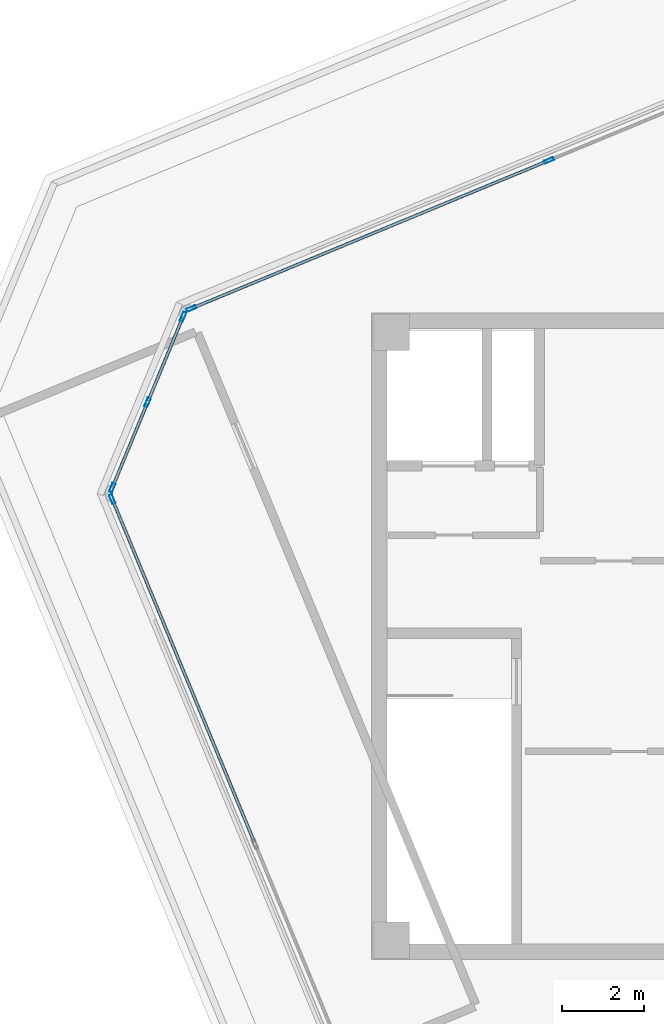
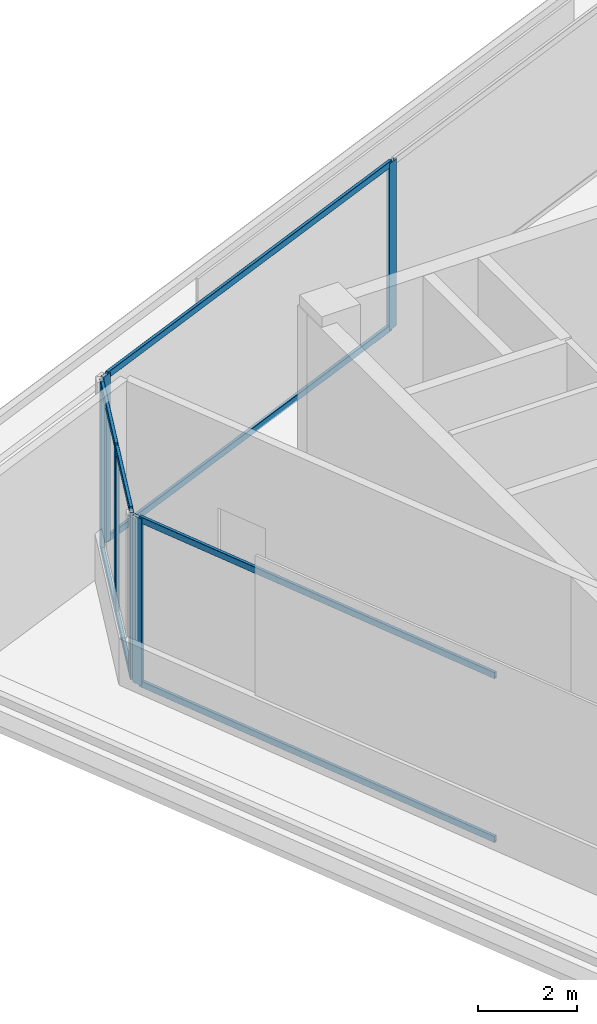
# One storey, part 4 of 11: 14 members, 3 elements without a shape of their own.
"""IFC4 building model written with IfcOpenShell, lengths in metres."""

from ifc_helpers import new_model, si_unit, direction, frame, origin, origin_2d, place, context, subcontext, project, spatial, hollow_rectangle, extrude, source, transform, mapped, material, material_profile, profile_set, type_object, element, aggregate, save


model = new_model("IFC4")

# Units and contexts
model_context = context("Model", 3, precision=1e-05, world=origin(), true_north=direction((0.0, 1.0)))
body_context = subcontext(model_context, "Body", "Model", "MODEL_VIEW")
ifc_project = project(units=[si_unit("LENGTHUNIT", "METRE"), si_unit("AREAUNIT", "SQUARE_METRE"), si_unit("VOLUMEUNIT", "CUBIC_METRE"), si_unit("PLANEANGLEUNIT", "RADIAN"), si_unit("MASSUNIT", "GRAM", prefix="KILO")], contexts=[model_context])

# Site, building, storey
site_placement = place(None, origin())
site = spatial("IfcSite", under=ifc_project, at=site_placement, CompositionType="ELEMENT")
building_placement = place(site_placement, origin())
building = spatial("IfcBuilding", under=site, at=building_placement, Name="Torre Montelarca", CompositionType="ELEMENT")
storey_placement = place(building_placement, frame((0.0, 0.0, 366.0)))
storey = spatial("IfcBuildingStorey", under=building, at=storey_placement, Name="L82", CompositionType="ELEMENT", Elevation=366.0)

# Curtain wall, member
ifc_material_1 = material(Name="Amber translucent laminated glass", Category="glass")
curtain_wall_type = type_object("IfcCurtainWallType", Name="CW-SYS-LANT", PredefinedType="USERDEFINED", material=ifc_material_1)
curtain_wall_1_placement = place(storey_placement, origin())
curtain_wall_1 = element("IfcCurtainWall", 1, at=curtain_wall_1_placement, inside=storey, type_object=curtain_wall_type, Name="L82 Curtain Wall Run CW-T3-L82-E01-B1", ObjectType="TRANSLUCENT LANTERN", PredefinedType="USERDEFINED")
ifc_material_2 = material(Name="Anodised aluminium AA 6063-T6", Category="aluminium")
ifc_material_profile_1 = material_profile(ifc_material_2, hollow_rectangle(XDim=0.080078125, YDim=0.239990234375, WallThickness=0.0048828125, InnerFilletRadius=0.0048828125, OuterFilletRadius=0.010009765625, at=origin_2d()), Name="ALU80X240X5", Category="aluminium")
ifc_profile_set_1 = profile_set([ifc_material_profile_1], Name="Anodised aluminium AA 6063-T6")
member_type_1 = type_object("IfcMemberType", Name="CWM-ALU240", PredefinedType="MULLION", material=ifc_profile_set_1)
shared_shape_1 = source(origin(), body_context, "Body", "SweptSolid", [
    extrude(hollow_rectangle(XDim=0.080078125, YDim=0.239990234375, WallThickness=0.0048828125, InnerFilletRadius=0.0048828125, OuterFilletRadius=0.010009765625, at=origin_2d()), origin(), (0.0, 0.0, 1.0), 4.1201171875),
])
member_1_placement = place(storey_placement, frame((2.7138671875, 35.36083984375, 0.0), z_axis=(0.0, 0.0, 1.0), x_axis=(0.923880409733, 0.382681314557, 0.0)))
member_1 = element("IfcMember", 2, at=member_1_placement, type_object=member_type_1, Name="CW mullion 1", PredefinedType="MULLION", context=body_context, shape_type="MappedRepresentation", body=[
    mapped(shared_shape_1, transform((0.0, 0.0, 0.0), scale=1.0)),
])

# Curtain wall, members
curtain_wall_2_placement = place(storey_placement, origin())
curtain_wall_2 = element("IfcCurtainWall", 3, at=curtain_wall_2_placement, inside=storey, type_object=curtain_wall_type, Name="L82 Curtain Wall Run CW-T3-L82-E07-B1", ObjectType="TRANSLUCENT LANTERN", PredefinedType="USERDEFINED")
member_2_placement = place(storey_placement, frame((13.420654296875, 43.666259765625, 0.0), z_axis=(0.0, 0.0, 1.0), x_axis=(0.382684503805, -0.923879088705, 0.0)))
member_2 = element("IfcMember", 4, at=member_2_placement, type_object=member_type_1, Name="CW mullion 2", PredefinedType="MULLION", context=body_context, shape_type="MappedRepresentation", body=[
    mapped(shared_shape_1, transform((0.0, 0.0, 0.0), scale=1.0)),
])
member_3_placement = place(storey_placement, frame((4.649169921875, 40.032958984375, 0.0), z_axis=(0.0, 0.0, 1.0), x_axis=(0.382684503805, -0.923879088705, 0.0)))
member_3 = element("IfcMember", 5, at=member_3_placement, type_object=member_type_1, Name="CW mullion 3", PredefinedType="MULLION", context=body_context, shape_type="MappedRepresentation", body=[
    mapped(shared_shape_1, transform((0.0, 0.0, 0.0), scale=1.0)),
])

curtain_wall_3_placement = place(storey_placement, origin())
curtain_wall_3 = element("IfcCurtainWall", 6, at=curtain_wall_3_placement, inside=storey, type_object=curtain_wall_type, Name="L82 Curtain Wall Run CW-T3-L82-E08-B1", ObjectType="TRANSLUCENT LANTERN", PredefinedType="USERDEFINED")
member_4_placement = place(storey_placement, frame((4.450439453125, 39.834228515625, 0.0), z_axis=(0.0, 0.0, 1.0), x_axis=(0.923879589357, -0.382683295127, 0.0)))
member_4 = element("IfcMember", 7, at=member_4_placement, type_object=member_type_1, Name="CW mullion 1", PredefinedType="MULLION", context=body_context, shape_type="MappedRepresentation", body=[
    mapped(shared_shape_1, transform((0.0, 0.0, 0.0), scale=1.0)),
])
member_5_placement = place(storey_placement, frame((3.582275390625, 37.738037109375, 0.0), z_axis=(0.0, 0.0, 1.0), x_axis=(0.923879589357, -0.382683295127, 0.0)))
member_5 = element("IfcMember", 8, at=member_5_placement, type_object=member_type_1, Name="CW mullion 2", PredefinedType="MULLION", context=body_context, shape_type="MappedRepresentation", body=[
    mapped(shared_shape_1, transform((0.0, 0.0, 0.0), scale=1.0)),
])
member_6_placement = place(storey_placement, frame((2.7138671875, 35.641845703125, 0.0), z_axis=(0.0, 0.0, 1.0), x_axis=(0.923879589357, -0.382683295127, 0.0)))
member_6 = element("IfcMember", 9, at=member_6_placement, type_object=member_type_1, Name="CW mullion 3", PredefinedType="MULLION", context=body_context, shape_type="MappedRepresentation", body=[
    mapped(shared_shape_1, transform((0.0, 0.0, 0.0), scale=1.0)),
])

# Member
ifc_material_profile_2 = material_profile(ifc_material_2, hollow_rectangle(XDim=0.074951171875, YDim=0.159912109375, WallThickness=0.0048828125, InnerFilletRadius=0.0048828125, OuterFilletRadius=0.010009765625, at=origin_2d()), Name="ALU75X160X5", Category="aluminium")
ifc_profile_set_2 = profile_set([ifc_material_profile_2], Name="Anodised aluminium AA 6063-T6")
member_type_2 = type_object("IfcMemberType", Name="CWT-ALU160", PredefinedType="USERDEFINED", material=ifc_profile_set_2)
shared_shape_2 = source(origin(), body_context, "Body", "SweptSolid", [
    extrude(hollow_rectangle(XDim=0.074951171875, YDim=0.159912109375, WallThickness=0.0048828125, InnerFilletRadius=0.0048828125, OuterFilletRadius=0.010009765625, at=origin_2d()), origin(), (0.0, 0.0, 1.0), 9.064208984375),
])
member_7_placement = place(storey_placement, frame((2.729248046875, 35.323974609375, 0.03759765625), z_axis=(0.382684825491, -0.923878955459, 0.0), x_axis=(0.923878955459, 0.382684825491, 0.0)))
member_7 = element("IfcMember", 10, at=member_7_placement, type_object=member_type_2, Name="CW transom 1.1", ObjectType="TRANSOM", PredefinedType="USERDEFINED", context=body_context, shape_type="MappedRepresentation", body=[
    mapped(shared_shape_2, transform((0.0, 0.0, 0.0), scale=1.0)),
])

member_8_placement = place(storey_placement, frame((2.729248046875, 35.323974609375, 4.08251953125), z_axis=(0.382684825491, -0.923878955459, 0.0), x_axis=(0.923878955459, 0.382684825491, 0.0)))
member_8 = element("IfcMember", 11, at=member_8_placement, type_object=member_type_2, Name="CW transom 1.2", ObjectType="TRANSOM", PredefinedType="USERDEFINED", context=body_context, shape_type="MappedRepresentation", body=[
    mapped(shared_shape_2, transform((0.0, 0.0, 0.0), scale=1.0)),
])

aggregate(curtain_wall_1, [member_1, member_7, member_8])

shared_shape_3 = source(origin(), body_context, "Body", "SweptSolid", [
    extrude(hollow_rectangle(XDim=0.074951171875, YDim=0.159912109375, WallThickness=0.0048828125, InnerFilletRadius=0.0048828125, OuterFilletRadius=0.010009765625, at=origin_2d()), origin(), (0.0, 0.0, 1.0), 2.188720703125),
])
member_9_placement = place(storey_placement, frame((3.56689453125, 37.700927734375, 0.03759765625), z_axis=(-0.382690007445, -0.923876808997, 0.0), x_axis=(0.923876808997, -0.382690007445, 0.0)))
member_9 = element("IfcMember", 12, at=member_9_placement, type_object=member_type_2, Name="CW transom 2.1", ObjectType="TRANSOM", PredefinedType="USERDEFINED", context=body_context, shape_type="MappedRepresentation", body=[
    mapped(shared_shape_3, transform((0.0, 0.0, 0.0), scale=1.0)),
])

member_10_placement = place(storey_placement, frame((3.56689453125, 37.700927734375, 4.08251953125), z_axis=(-0.382690007445, -0.923876808997, 0.0), x_axis=(0.923876808997, -0.382690007445, 0.0)))
member_10 = element("IfcMember", 13, at=member_10_placement, type_object=member_type_2, Name="CW transom 2.2", ObjectType="TRANSOM", PredefinedType="USERDEFINED", context=body_context, shape_type="MappedRepresentation", body=[
    mapped(shared_shape_3, transform((0.0, 0.0, 0.0), scale=1.0)),
])

shared_shape_4 = source(origin(), body_context, "Body", "SweptSolid", [
    extrude(hollow_rectangle(XDim=0.074951171875, YDim=0.159912109375, WallThickness=0.0048828125, InnerFilletRadius=0.0048828125, OuterFilletRadius=0.010009765625, at=origin_2d()), origin(), (0.0, 0.0, 1.0), 9.4140625),
])
member_11_placement = place(storey_placement, frame((13.383544921875, 43.65087890625, 0.03759765625), z_axis=(-0.923873647492, -0.382697639749, 0.0), x_axis=(0.382697639749, -0.923873647492, 0.0)))
member_11 = element("IfcMember", 14, at=member_11_placement, type_object=member_type_2, Name="CW transom 2.1", ObjectType="TRANSOM", PredefinedType="USERDEFINED", context=body_context, shape_type="MappedRepresentation", body=[
    mapped(shared_shape_4, transform((0.0, 0.0, 0.0), scale=1.0)),
])

member_12_placement = place(storey_placement, frame((13.383544921875, 43.65087890625, 4.08251953125), z_axis=(-0.923873647492, -0.382697639749, 0.0), x_axis=(0.382697639749, -0.923873647492, 0.0)))
member_12 = element("IfcMember", 15, at=member_12_placement, type_object=member_type_2, Name="CW transom 2.2", ObjectType="TRANSOM", PredefinedType="USERDEFINED", context=body_context, shape_type="MappedRepresentation", body=[
    mapped(shared_shape_4, transform((0.0, 0.0, 0.0), scale=1.0)),
])

aggregate(curtain_wall_2, [member_2, member_3, member_11, member_12])

shared_shape_5 = source(origin(), body_context, "Body", "SweptSolid", [
    extrude(hollow_rectangle(XDim=0.074951171875, YDim=0.159912109375, WallThickness=0.0048828125, InnerFilletRadius=0.0048828125, OuterFilletRadius=0.010009765625, at=origin_2d()), origin(), (0.0, 0.0, 1.0), 2.189208984375),
])
member_13_placement = place(storey_placement, frame((4.435302734375, 39.79736328125, 0.03759765625), z_axis=(-0.382745766955, -0.923853710215, 0.0), x_axis=(0.923853710215, -0.382745766955, 0.0)))
member_13 = element("IfcMember", 16, at=member_13_placement, type_object=member_type_2, Name="CW transom 1.1", ObjectType="TRANSOM", PredefinedType="USERDEFINED", context=body_context, shape_type="MappedRepresentation", body=[
    mapped(shared_shape_5, transform((0.0, 0.0, 0.0), scale=1.0)),
])

member_14_placement = place(storey_placement, frame((4.435302734375, 39.79736328125, 4.08251953125), z_axis=(-0.382745766955, -0.923853710215, 0.0), x_axis=(0.923853710215, -0.382745766955, 0.0)))
member_14 = element("IfcMember", 17, at=member_14_placement, type_object=member_type_2, Name="CW transom 1.2", ObjectType="TRANSOM", PredefinedType="USERDEFINED", context=body_context, shape_type="MappedRepresentation", body=[
    mapped(shared_shape_5, transform((0.0, 0.0, 0.0), scale=1.0)),
])

aggregate(curtain_wall_3, [member_4, member_5, member_6, member_13, member_14, member_9, member_10])

save(model, "model.ifc")
